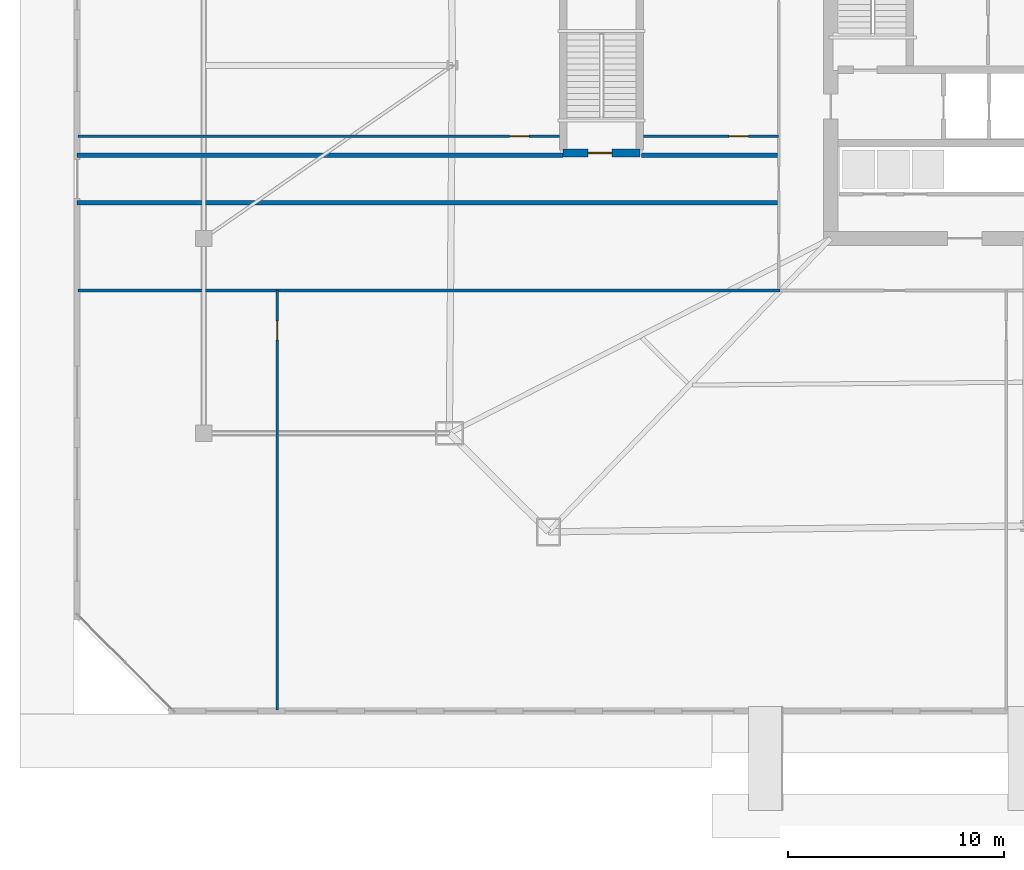
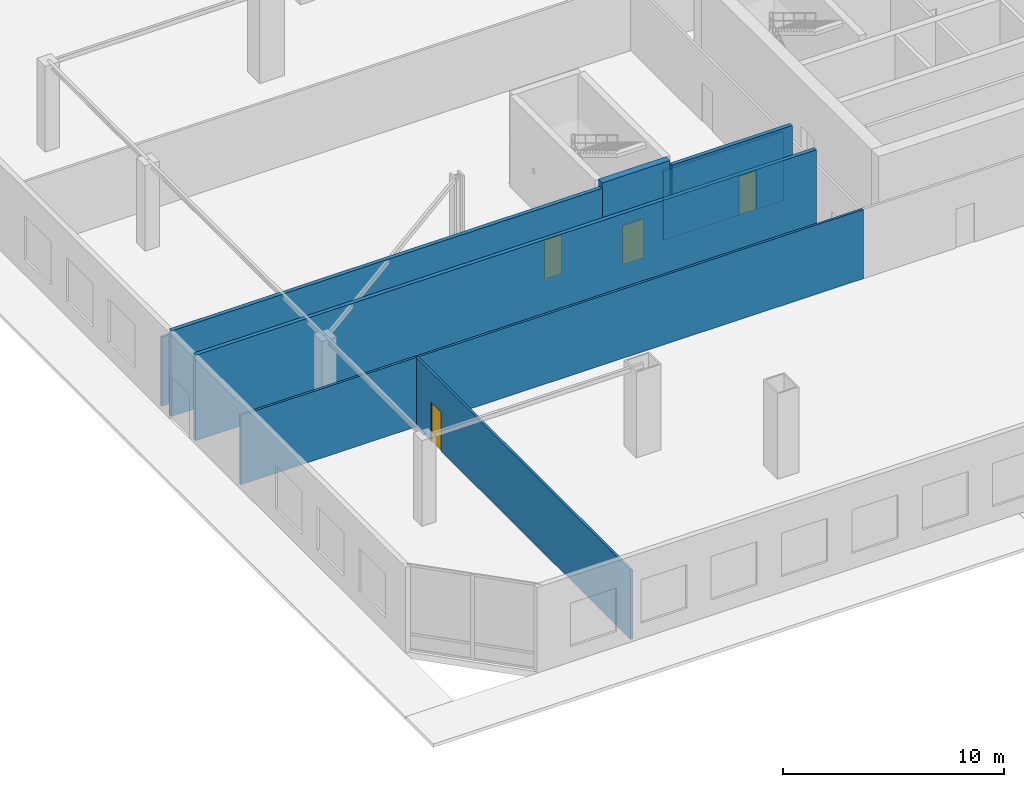
# One storey, part 12 of 23: 8 walls, 4 doors, 4 openings.
"""IFC4 building model written with IfcOpenShell, lengths in metres."""

import ifcopenshell
import ifcopenshell.guid

model = None  # the IFC model being written
_history = None  # IfcOwnerHistory: only IFC2X3 demands one
_inside = {}  # id of a spatial element -> (the spatial element, [elements in it])
_under = {}  # id of a project, library or spatial element -> (it, [spatial elements below it])
_declared = {}  # id of a project -> (the project, [libraries it declares])
_typed = {}  # id of a type object -> (the type object, [elements of that type])
_made_of = {}  # id of a material, layer set ... -> (it, [elements and type objects made of it])


def new_model(schema):
    """Start an empty IFC model of exactly this schema.

    Asked for "IFC4X3", IfcOpenShell would pick the latest addendum, in which some entities
    have other attributes; the version numbers below select the first issue.
    IFC2X3 requires an IfcOwnerHistory on every rooted entity: one is made here for all.
    """
    global model, _history
    if schema == "IFC4X3":
        model = ifcopenshell.file(schema_version=(4, 3, 0, 0))
    else:
        model = ifcopenshell.file(schema=schema)
    _inside.clear()
    _under.clear()
    _declared.clear()
    _typed.clear()
    _made_of.clear()
    _history = None
    if model.schema == "IFC2X3":
        org = make("IfcOrganization", Name="unknown")
        user = make(
            "IfcPersonAndOrganization",
            ThePerson=make("IfcPerson", FamilyName="unknown"),
            TheOrganization=org,
        )
        app = make(
            "IfcApplication",
            ApplicationDeveloper=org,
            Version="unknown",
            ApplicationFullName="unknown",
            ApplicationIdentifier="unknown",
        )
        _history = make(
            "IfcOwnerHistory",
            OwningUser=user,
            OwningApplication=app,
            ChangeAction="ADDED",
            CreationDate=0,
        )
    return model


def make(cls, **values):
    """One entity of the class cls with the attributes given. An attribute that is None is left unset."""
    return model.create_entity(
        cls, **{name: value for name, value in values.items() if value is not None}
    )


def rooted(cls, **values):
    """An entity with a GlobalId (a new one), such as an element, a storey or a relation."""
    return make(cls, GlobalId=ifcopenshell.guid.new(), OwnerHistory=_history, **values)


def si_unit(unit_type, name, prefix=None):
    """IfcSIUnit, for example si_unit("LENGTHUNIT", "METRE", prefix="MILLI")."""
    return make("IfcSIUnit", UnitType=unit_type, Prefix=prefix, Name=name)


def assignment(units):
    """IfcUnitAssignment: the units of a project."""
    return None if units is None else make("IfcUnitAssignment", Units=units)


def point(xyz):
    """IfcCartesianPoint."""
    return None if xyz is None else make("IfcCartesianPoint", Coordinates=xyz)


def direction(xyz):
    """IfcDirection."""
    return None if xyz is None else make("IfcDirection", DirectionRatios=xyz)


def frame(location, z_axis=None, x_axis=None):
    """IfcAxis2Placement3D, a coordinate frame: its origin and axes. An axis left out is left unset."""
    return make(
        "IfcAxis2Placement3D",
        Location=point(location),
        Axis=direction(z_axis),
        RefDirection=direction(x_axis),
    )


def frame_2d(location, x_axis=None):
    """IfcAxis2Placement2D, a coordinate frame in the plane: its origin and x axis."""
    return make(
        "IfcAxis2Placement2D", Location=point(location), RefDirection=direction(x_axis)
    )


def origin():
    """The frame at (0, 0, 0) with its axes left unset."""
    return frame((0.0, 0.0, 0.0))


def place(relative_to, where):
    """IfcLocalPlacement: puts the frame where relative to a parent placement (None: the world)."""
    return make(
        "IfcLocalPlacement", PlacementRelTo=relative_to, RelativePlacement=where
    )


def context(
    kind, dimensions, precision=None, world=None, true_north=None, identifier=None
):
    """IfcGeometricRepresentationContext, for example the 3D "Model" context."""
    return make(
        "IfcGeometricRepresentationContext",
        ContextIdentifier=identifier,
        ContextType=kind,
        CoordinateSpaceDimension=dimensions,
        Precision=precision,
        WorldCoordinateSystem=world,
        TrueNorth=true_north,
    )


def subcontext(parent, identifier, kind, view, scale=None):
    """IfcGeometricRepresentationSubContext, for example "Body" below "Model"."""
    return make(
        "IfcGeometricRepresentationSubContext",
        ContextIdentifier=identifier,
        ContextType=kind,
        ParentContext=parent,
        TargetScale=scale,
        TargetView=view,
    )


def project(units=None, contexts=None):
    """IfcProject with its units and contexts."""
    return rooted(
        "IfcProject",
        Name="project",
        RepresentationContexts=contexts,
        UnitsInContext=assignment(units),
    )


def spatial(cls, under=None, at=None, **own):
    """A site, building, storey or space (cls), placed at a placement, below another one or the project."""
    s = rooted(cls, ObjectPlacement=at, **own)
    if under is not None:
        _under.setdefault(under.id(), (under, []))[1].append(s)
    return s


def profile(cls, at=None, kind="AREA", **sizes):
    """A parametric profile (cls). Its sizes go by their IFC names, for example OverallWidth=200.0."""
    return make(cls, ProfileType=kind, Position=at, **sizes)


def rectangle(**sizes):
    """IfcRectangleProfileDef."""
    return profile("IfcRectangleProfileDef", **sizes)


def extrude(swept, where, along, depth):
    """IfcExtrudedAreaSolid: the profile swept, set in the frame where, extruded along a direction by depth."""
    return make(
        "IfcExtrudedAreaSolid",
        SweptArea=swept,
        Position=where,
        ExtrudedDirection=direction(along),
        Depth=depth,
    )


def shape(context_of_items, identifier, shape_type, items):
    """IfcShapeRepresentation: the items that make up one representation, for example the "Body"."""
    return make(
        "IfcShapeRepresentation",
        ContextOfItems=context_of_items,
        RepresentationIdentifier=identifier,
        RepresentationType=shape_type,
        Items=items,
    )


def material(Name=None, Category=None):
    """IfcMaterial."""
    return make("IfcMaterial", Name=Name, Category=Category)


def layer(
    of_material, thickness, ventilated=None, Name=None, Category=None, Priority=None
):
    """IfcMaterialLayer: one layer of a wall or slab, of a material (None: an air gap)."""
    return make(
        "IfcMaterialLayer",
        Material=of_material,
        LayerThickness=thickness,
        IsVentilated=ventilated,
        Name=Name,
        Category=Category,
        Priority=Priority,
    )


def layer_set(layers, Name=None):
    """IfcMaterialLayerSet."""
    return make("IfcMaterialLayerSet", MaterialLayers=layers, LayerSetName=Name)


def made_of(thing, what):
    """Note that an element or type object is made of a material, layer set ...; save() writes the relation."""
    if what is not None:
        _made_of.setdefault(what.id(), (what, []))[1].append(thing)
    return thing


def type_object(cls, material=None, **own):
    """A type object (cls), such as IfcWallType, which elements share."""
    return made_of(rooted(cls, **own), material)


def element(
    cls,
    number,
    at=None,
    inside=None,
    cuts=None,
    type_object=None,
    material=None,
    context=None,
    identifier="Body",
    shape_type=None,
    held_by="IfcProductDefinitionShape",
    body=None,
    shapes=None,
    **own,
):
    """One element of the class cls, such as IfcWall. Its Tag is "e" and its number.

    at: its placement. inside: the storey or other place that contains it. cuts: it is an
    opening in that element (IfcRelVoidsElement). A single representation is given by context,
    identifier, shape_type and body (its items); several are given by shapes. held_by: the class
    of the entity that holds the representations. save() writes the other relations.
    """
    e = rooted(cls, Tag="e%d" % number, ObjectPlacement=at, **own)
    if body is not None:
        shapes = [shape(context, identifier, shape_type, body)]
    if shapes is not None:
        e.Representation = make(held_by, Representations=shapes)
    if inside is not None:
        _inside.setdefault(inside.id(), (inside, []))[1].append(e)
    if cuts is not None:
        rooted(
            "IfcRelVoidsElement", RelatingBuildingElement=cuts, RelatedOpeningElement=e
        )
    if type_object is not None:
        _typed.setdefault(type_object.id(), (type_object, []))[1].append(e)
    return made_of(e, material)


def fill(opening, filler):
    """IfcRelFillsElement: the door or window that sits in an opening."""
    return rooted(
        "IfcRelFillsElement",
        RelatingOpeningElement=opening,
        RelatedBuildingElement=filler,
    )


def aggregate(whole, parts):
    """IfcRelAggregates: a whole, such as a stair, and the parts it consists of."""
    return rooted("IfcRelAggregates", RelatingObject=whole, RelatedObjects=parts)


def save(model, path):
    """Write the relations noted so far, then the file.

    IfcRelAggregates (storeys below a building ...), IfcRelContainedInSpatialStructure (elements
    in a storey), IfcRelDefinesByType, IfcRelAssociatesMaterial and IfcRelDeclares: one each for
    every whole, place, type object, material and project.
    """
    for whole, parts in _under.values():
        aggregate(whole, parts)
    for where, things in _inside.values():
        rooted(
            "IfcRelContainedInSpatialStructure",
            RelatedElements=things,
            RelatingStructure=where,
        )
    for kind, things in _typed.values():
        rooted("IfcRelDefinesByType", RelatedObjects=things, RelatingType=kind)
    for what, things in _made_of.values():
        rooted("IfcRelAssociatesMaterial", RelatedObjects=things, RelatingMaterial=what)
    for by, libraries in _declared.values():
        rooted("IfcRelDeclares", RelatingContext=by, RelatedDefinitions=libraries)
    model.write(path)


model = new_model("IFC4")

# Units and contexts
model_context = context("Model", 3, precision=1e-05, world=origin(), true_north=direction((0.0, 1.0)))
body_context = subcontext(model_context, "Body", "Model", "MODEL_VIEW")
ifc_project = project(units=[si_unit("LENGTHUNIT", "METRE"), si_unit("AREAUNIT", "SQUARE_METRE"), si_unit("VOLUMEUNIT", "CUBIC_METRE"), si_unit("PLANEANGLEUNIT", "RADIAN"), si_unit("MASSUNIT", "GRAM", prefix="KILO")], contexts=[model_context])

# Site, building, storey
site_placement = place(None, origin())
site = spatial("IfcSite", under=ifc_project, at=site_placement, CompositionType="ELEMENT")
building_placement = place(site_placement, origin())
building = spatial("IfcBuilding", under=site, at=building_placement, Name="Caelvoria Tower", CompositionType="ELEMENT")
storey_placement = place(building_placement, origin())
storey = spatial("IfcBuildingStorey", under=building, at=storey_placement, Name="L00", CompositionType="ELEMENT", Elevation=0.0)

# Wall, opening, door
ifc_material_1 = material(Name="Concrete C50/60", Category="concrete")
ifc_layer_1 = layer(ifc_material_1, 0.35009765625, Name="Concrete C50/60")
ifc_layer_set_1 = layer_set([ifc_layer_1], Name="Core Internal Shear Wall 350 - Concrete C50/60")
wall_type_1 = type_object("IfcWallType", Name="Core Internal Shear Wall 350", PredefinedType="SHEAR", material=ifc_layer_set_1)
wall_1_placement = place(storey_placement, frame((24.625, 27.949951171875, 0.0), z_axis=(0.0, 0.0, 1.0), x_axis=(1.0, 0.0, 0.0)))
wall_1 = element("IfcWall", 1, at=wall_1_placement, inside=storey, type_object=wall_type_1, Name="Podium Stair Shear Wall L00 ST3 S", PredefinedType="SHEAR", context=body_context, shape_type="SweptSolid", body=[
    extrude(rectangle(XDim=3.550048828125, YDim=0.35009765625, at=frame_2d((1.77490234375, 0.0))), origin(), (0.0, 0.0, 1.0), 5.0),
])
opening_1_placement = place(wall_1_placement, frame((1.14990234375, 0.0, 0.0)))
opening_1 = element("IfcOpeningElement", 2, at=opening_1_placement, cuts=wall_1, Name="Opening ID-01", PredefinedType="OPENING", context=body_context, shape_type="SweptSolid", body=[
    extrude(rectangle(XDim=1.10009765625, YDim=2.14990234375, at=frame_2d((0.550048828125, 1.074951171875))), frame((0.0, 0.18505859375, 0.0), z_axis=(0.0, -1.0, 0.0), x_axis=(1.0, 0.0, 0.0)), (0.0, 0.0, 1.0), 0.3701171875),
])
ifc_material_2 = material(Name="Painted Hollow Steel Fire Door", Category="steel")
door_type_1 = type_object("IfcDoorType", Name="Fire Door FD90S 1100x2150", OperationType="NOTDEFINED", PredefinedType="DOOR", material=ifc_material_2)
door_1_placement = place(opening_1_placement, origin())
door_1 = element("IfcDoor", 3, at=door_1_placement, inside=storey, type_object=door_type_1, Name="Podium Stair Door L00 ST3", OperationType="SINGLE_SWING_RIGHT", OverallHeight=2.14990234375, OverallWidth=1.10009765625, PredefinedType="DOOR", context=body_context, shape_type="SweptSolid", body=[
    extrude(rectangle(XDim=1.10009765625, YDim=2.14990234375, at=frame_2d((0.550048828125, 1.074951171875))), frame((0.0, 0.02490234375, 0.0), z_axis=(0.0, -1.0, 0.0), x_axis=(1.0, 0.0, 0.0)), (0.0, 0.0, 1.0), 0.050048828125),
])
fill(opening_1, door_1)

# Walls
ifc_material_3 = material(Name="Concrete Block and Fireboard Assembly", Category="concrete")
ifc_layer_2 = layer(ifc_material_3, 0.199951171875, Name="Concrete Block and Fireboard Assembly")
ifc_layer_set_2 = layer_set([ifc_layer_2], Name="Fire-Rated Shaft and Core Partition Wall 200 - Concrete Block and Fireboard Assembly")
wall_type_2 = type_object("IfcWallType", Name="Fire-Rated Shaft and Core Partition Wall 200", PredefinedType="PARTITIONING", material=ifc_layer_set_2)
wall_2_placement = place(storey_placement, frame((2.139892578125, 25.64990234375, 0.0), z_axis=(0.0, 0.0, 1.0), x_axis=(1.0, 0.0, 0.0)))
element("IfcWall", 4, at=wall_2_placement, inside=storey, type_object=wall_type_2, Name="Interior Partition IW-L00-EXW-S", PredefinedType="PARTITIONING", context=body_context, shape_type="SweptSolid", body=[
    extrude(rectangle(XDim=32.39013671875, YDim=0.199951171875, at=frame_2d((16.195068359375, 0.0))), origin(), (0.0, 0.0, 1.0), 4.719970703125),
])
wall_3_placement = place(storey_placement, frame((2.139892578125, 27.85009765625, 0.0), z_axis=(0.0, 0.0, 1.0), x_axis=(1.0, 0.0, 0.0)))
element("IfcWall", 5, at=wall_3_placement, inside=storey, type_object=wall_type_2, Name="Interior Partition IW-L00-EXW-N", PredefinedType="PARTITIONING", context=body_context, shape_type="SweptSolid", body=[
    extrude(rectangle(XDim=22.480224609375, YDim=0.199951171875, at=frame_2d((11.240234375, 0.0))), origin(), (0.0, 0.0, 1.0), 4.719970703125),
])
wall_4_placement = place(storey_placement, frame((28.25, 27.85009765625, 0.0), z_axis=(0.0, 0.0, 1.0), x_axis=(1.0, 0.0, 0.0)))
element("IfcWall", 6, at=wall_4_placement, inside=storey, type_object=wall_type_2, Name="Interior Partition IW-L00-EXW-N2", PredefinedType="PARTITIONING", context=body_context, shape_type="SweptSolid", body=[
    extrude(rectangle(XDim=6.280029296875, YDim=0.199951171875, at=frame_2d((3.14013671875, 0.0))), origin(), (0.0, 0.0, 1.0), 4.719970703125),
])

# Wall, opening, door
ifc_material_4 = material(Name="Acoustic Timber-Clad Operable Panel", Category="wood")
ifc_layer_3 = layer(ifc_material_4, 0.125, Name="Acoustic Timber-Clad Operable Panel")
ifc_layer_set_3 = layer_set([ifc_layer_3], Name="Operable Acoustic Folding Partition Wall 125 - Acoustic Timber-Clad Operable Panel")
wall_type_3 = type_object("IfcWallType", Name="Operable Acoustic Folding Partition Wall 125", PredefinedType="MOVABLE", material=ifc_layer_set_3)
wall_5_placement = place(storey_placement, frame((11.392822265625, 21.590087890625, 0.0), z_axis=(0.0, 0.0, 1.0), x_axis=(0.0, -1.0, 0.0)))
wall_5 = element("IfcWall", 7, at=wall_5_placement, inside=storey, type_object=wall_type_3, Name="Interior Partition IW-L00-SD-00-0", PredefinedType="MOVABLE", context=body_context, shape_type="SweptSolid", body=[
    extrude(rectangle(XDim=19.41015625, YDim=0.1201171875, at=frame_2d((9.705078125, 0.0))), origin(), (0.0, 0.0, 1.0), 3.820068359375),
])
opening_2_placement = place(wall_5_placement, frame((1.39990234375, 0.0, 0.0)))
opening_2 = element("IfcOpeningElement", 8, at=opening_2_placement, cuts=wall_5, Name="Opening ID-06", PredefinedType="OPENING", context=body_context, shape_type="SweptSolid", body=[
    extrude(rectangle(XDim=0.89990234375, YDim=2.14990234375, at=frame_2d((0.449951171875, 1.074951171875))), frame((0.0, 0.070068359375, 0.0), z_axis=(0.0, -1.0, 0.0), x_axis=(1.0, 0.0, 0.0)), (0.0, 0.0, 1.0), 0.14013671875),
])
ifc_material_5 = material(Name="Engineered Andean Oak Veneer Door", Category="wood")
door_type_2 = type_object("IfcDoorType", Name="Interior Timber Door 900x2150", OperationType="NOTDEFINED", PredefinedType="DOOR", material=ifc_material_5)
door_2_placement = place(opening_2_placement, origin())
door_2 = element("IfcDoor", 9, at=door_2_placement, inside=storey, type_object=door_type_2, Name="Interior Door DR-L00-SM-00-0", OperationType="SINGLE_SWING_RIGHT", OverallHeight=2.14990234375, OverallWidth=0.89990234375, PredefinedType="DOOR", context=body_context, shape_type="SweptSolid", body=[
    extrude(rectangle(XDim=0.89990234375, YDim=2.14990234375, at=frame_2d((0.449951171875, 1.074951171875))), frame((0.0, 0.02490234375, 0.0), z_axis=(0.0, -1.0, 0.0), x_axis=(1.0, 0.0, 0.0)), (0.0, 0.0, 1.0), 0.050048828125),
])
fill(opening_2, door_2)

ifc_material_6 = material(Name="Acoustic Gypsum Board on Light-Gauge Stud", Category="gypsum")
ifc_layer_4 = layer(ifc_material_6, 0.1201171875, Name="Acoustic Gypsum Board on Light-Gauge Stud")
ifc_layer_set_4 = layer_set([ifc_layer_4], Name="Tenant Suite Acoustic Partition Wall 120 - Acoustic Gypsum Board on Light-Gauge Stud")
wall_type_4 = type_object("IfcWallType", Name="Tenant Suite Acoustic Partition Wall 120", PredefinedType="PARTITIONING", material=ifc_layer_set_4)
wall_6_placement = place(storey_placement, frame((34.590087890625, 28.722412109375, 0.0), z_axis=(0.0, 0.0, 1.0), x_axis=(-1.0, 0.0, 0.0)))
wall_6 = element("IfcWall", 10, at=wall_6_placement, inside=storey, type_object=wall_type_4, Name="Interior Partition IW-L00-WD-00-0", PredefinedType="PARTITIONING", context=body_context, shape_type="SweptSolid", body=[
    extrude(rectangle(XDim=6.239990234375, YDim=0.1201171875, at=frame_2d((3.1201171875, 0.0))), origin(), (0.0, 0.0, 1.0), 3.820068359375),
])
opening_3_placement = place(wall_6_placement, frame((1.39990234375, 0.0, 0.0)))
opening_3 = element("IfcOpeningElement", 11, at=opening_3_placement, cuts=wall_6, Name="Opening ID-06", PredefinedType="OPENING", context=body_context, shape_type="SweptSolid", body=[
    extrude(rectangle(XDim=0.89990234375, YDim=2.14990234375, at=frame_2d((0.449951171875, 1.074951171875))), frame((0.0, 0.070068359375, 0.0), z_axis=(0.0, -1.0, 0.0), x_axis=(1.0, 0.0, 0.0)), (0.0, 0.0, 1.0), 0.14013671875),
])
door_3_placement = place(opening_3_placement, origin())
door_3 = element("IfcDoor", 12, at=door_3_placement, inside=storey, type_object=door_type_2, Name="Interior Door DR-L00-WM-00-0", OperationType="SINGLE_SWING_RIGHT", OverallHeight=2.14990234375, OverallWidth=0.89990234375, PredefinedType="DOOR", context=body_context, shape_type="SweptSolid", body=[
    extrude(rectangle(XDim=0.89990234375, YDim=2.14990234375, at=frame_2d((0.449951171875, 1.074951171875))), frame((0.0, 0.02490234375, 0.0), z_axis=(0.0, -1.0, 0.0), x_axis=(1.0, 0.0, 0.0)), (0.0, 0.0, 1.0), 0.050048828125),
])
fill(opening_3, door_3)

wall_7_placement = place(storey_placement, frame((24.449951171875, 28.722412109375, 0.0), z_axis=(0.0, 0.0, 1.0), x_axis=(-1.0, 0.0, 0.0)))
wall_7 = element("IfcWall", 13, at=wall_7_placement, inside=storey, type_object=wall_type_4, Name="Interior Partition IW-L00-WD-00-1", PredefinedType="PARTITIONING", context=body_context, shape_type="SweptSolid", body=[
    extrude(rectangle(XDim=22.27001953125, YDim=0.1201171875, at=frame_2d((11.135009765625, 0.0))), origin(), (0.0, 0.0, 1.0), 3.820068359375),
])
opening_4_placement = place(wall_7_placement, frame((1.39990234375, 0.0, 0.0)))
opening_4 = element("IfcOpeningElement", 14, at=opening_4_placement, cuts=wall_7, Name="Opening ID-06", PredefinedType="OPENING", context=body_context, shape_type="SweptSolid", body=[
    extrude(rectangle(XDim=0.89990234375, YDim=2.14990234375, at=frame_2d((0.449951171875, 1.074951171875))), frame((0.0, 0.070068359375, 0.0), z_axis=(0.0, -1.0, 0.0), x_axis=(1.0, 0.0, 0.0)), (0.0, 0.0, 1.0), 0.14013671875),
])
door_4_placement = place(opening_4_placement, origin())
door_4 = element("IfcDoor", 15, at=door_4_placement, inside=storey, type_object=door_type_2, Name="Interior Door DR-L00-WM-00-1", OperationType="SINGLE_SWING_RIGHT", OverallHeight=2.14990234375, OverallWidth=0.89990234375, PredefinedType="DOOR", context=body_context, shape_type="SweptSolid", body=[
    extrude(rectangle(XDim=0.89990234375, YDim=2.14990234375, at=frame_2d((0.449951171875, 1.074951171875))), frame((0.0, 0.02490234375, 0.0), z_axis=(0.0, -1.0, 0.0), x_axis=(1.0, 0.0, 0.0)), (0.0, 0.0, 1.0), 0.050048828125),
])
fill(opening_4, door_4)

# Wall
wall_8_placement = place(storey_placement, frame((34.64990234375, 21.590087890625, 0.0), z_axis=(0.0, 0.0, 1.0), x_axis=(-1.0, 0.0, 0.0)))
element("IfcWall", 16, at=wall_8_placement, inside=storey, type_object=wall_type_4, Name="Interior Partition IW-L00-BSW-0", PredefinedType="PARTITIONING", context=body_context, shape_type="SweptSolid", body=[
    extrude(rectangle(XDim=32.469970703125, YDim=0.1201171875, at=frame_2d((16.23486328125, 0.0))), origin(), (0.0, 0.0, 1.0), 3.820068359375),
])

save(model, "model.ifc")
